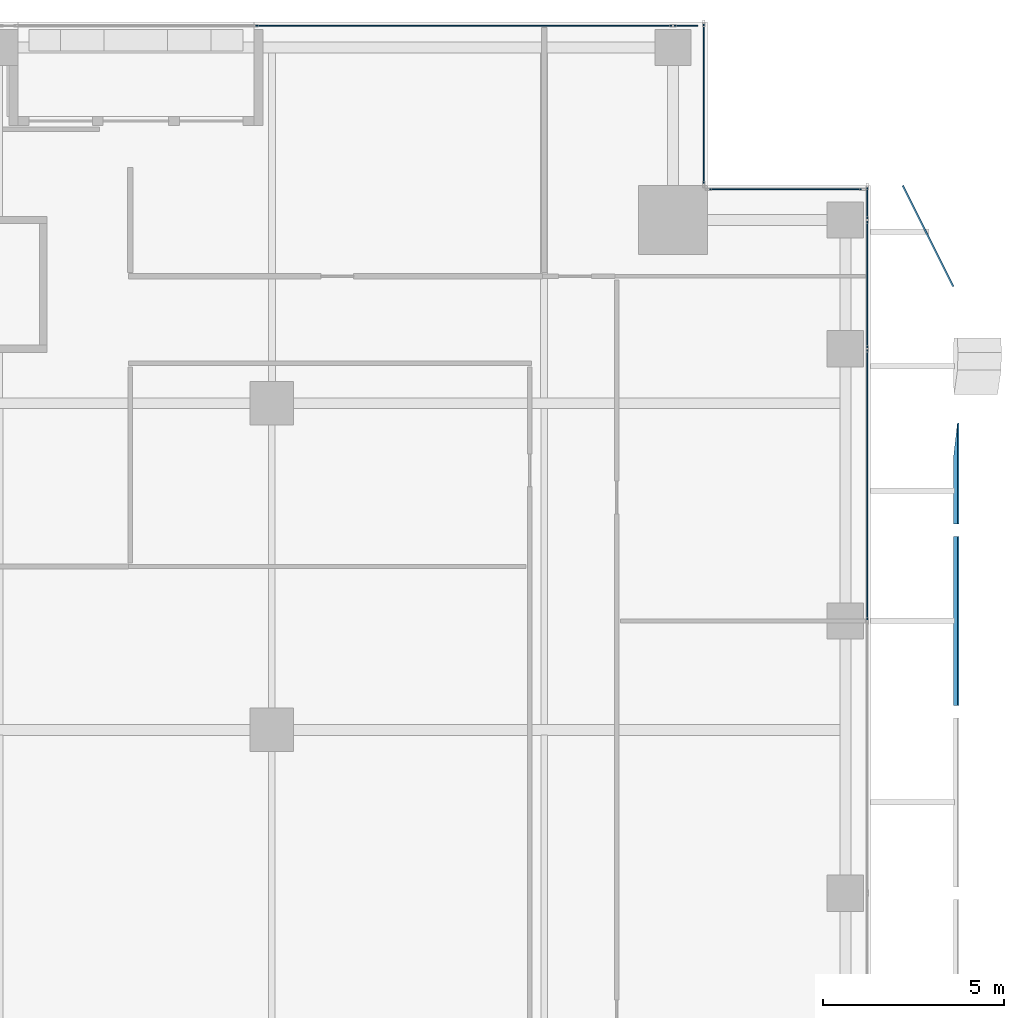
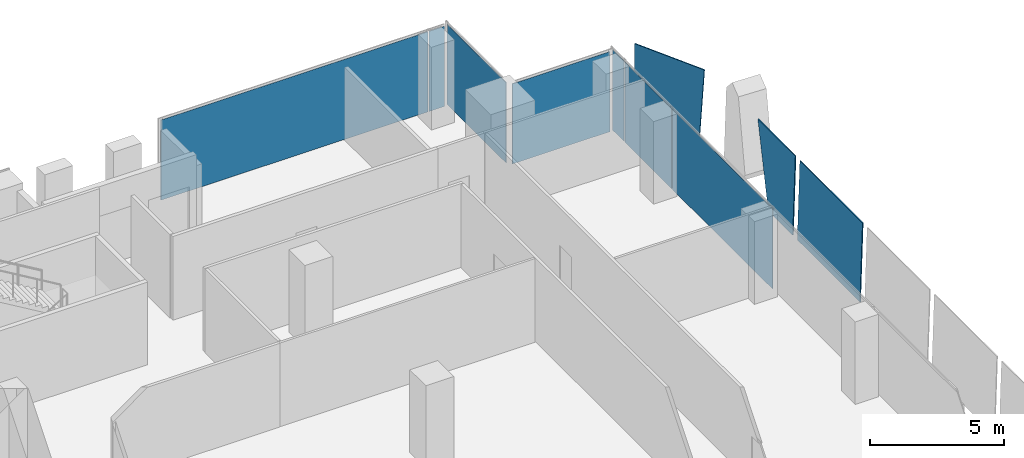
# One storey, part 31 of 38: 10 plates, 4 elements without a shape of their own.
"""IFC4 building model written with IfcOpenShell, lengths in metres."""

import ifcopenshell
import ifcopenshell.guid

model = None  # the IFC model being written
_history = None  # IfcOwnerHistory: only IFC2X3 demands one
_inside = {}  # id of a spatial element -> (the spatial element, [elements in it])
_under = {}  # id of a project, library or spatial element -> (it, [spatial elements below it])
_declared = {}  # id of a project -> (the project, [libraries it declares])
_typed = {}  # id of a type object -> (the type object, [elements of that type])
_made_of = {}  # id of a material, layer set ... -> (it, [elements and type objects made of it])


def new_model(schema):
    """Start an empty IFC model of exactly this schema.

    Asked for "IFC4X3", IfcOpenShell would pick the latest addendum, in which some entities
    have other attributes; the version numbers below select the first issue.
    IFC2X3 requires an IfcOwnerHistory on every rooted entity: one is made here for all.
    """
    global model, _history
    if schema == "IFC4X3":
        model = ifcopenshell.file(schema_version=(4, 3, 0, 0))
    else:
        model = ifcopenshell.file(schema=schema)
    _inside.clear()
    _under.clear()
    _declared.clear()
    _typed.clear()
    _made_of.clear()
    _history = None
    if model.schema == "IFC2X3":
        org = make("IfcOrganization", Name="unknown")
        user = make(
            "IfcPersonAndOrganization",
            ThePerson=make("IfcPerson", FamilyName="unknown"),
            TheOrganization=org,
        )
        app = make(
            "IfcApplication",
            ApplicationDeveloper=org,
            Version="unknown",
            ApplicationFullName="unknown",
            ApplicationIdentifier="unknown",
        )
        _history = make(
            "IfcOwnerHistory",
            OwningUser=user,
            OwningApplication=app,
            ChangeAction="ADDED",
            CreationDate=0,
        )
    return model


def make(cls, **values):
    """One entity of the class cls with the attributes given. An attribute that is None is left unset."""
    return model.create_entity(
        cls, **{name: value for name, value in values.items() if value is not None}
    )


def rooted(cls, **values):
    """An entity with a GlobalId (a new one), such as an element, a storey or a relation."""
    return make(cls, GlobalId=ifcopenshell.guid.new(), OwnerHistory=_history, **values)


def si_unit(unit_type, name, prefix=None):
    """IfcSIUnit, for example si_unit("LENGTHUNIT", "METRE", prefix="MILLI")."""
    return make("IfcSIUnit", UnitType=unit_type, Prefix=prefix, Name=name)


def assignment(units):
    """IfcUnitAssignment: the units of a project."""
    return None if units is None else make("IfcUnitAssignment", Units=units)


def point(xyz):
    """IfcCartesianPoint."""
    return None if xyz is None else make("IfcCartesianPoint", Coordinates=xyz)


def direction(xyz):
    """IfcDirection."""
    return None if xyz is None else make("IfcDirection", DirectionRatios=xyz)


def frame(location, z_axis=None, x_axis=None):
    """IfcAxis2Placement3D, a coordinate frame: its origin and axes. An axis left out is left unset."""
    return make(
        "IfcAxis2Placement3D",
        Location=point(location),
        Axis=direction(z_axis),
        RefDirection=direction(x_axis),
    )


def frame_2d(location, x_axis=None):
    """IfcAxis2Placement2D, a coordinate frame in the plane: its origin and x axis."""
    return make(
        "IfcAxis2Placement2D", Location=point(location), RefDirection=direction(x_axis)
    )


def origin():
    """The frame at (0, 0, 0) with its axes left unset."""
    return frame((0.0, 0.0, 0.0))


def origin_2d():
    """The frame at (0, 0) in the plane with its x axis left unset."""
    return frame_2d((0.0, 0.0))


def place(relative_to, where):
    """IfcLocalPlacement: puts the frame where relative to a parent placement (None: the world)."""
    return make(
        "IfcLocalPlacement", PlacementRelTo=relative_to, RelativePlacement=where
    )


def context(
    kind, dimensions, precision=None, world=None, true_north=None, identifier=None
):
    """IfcGeometricRepresentationContext, for example the 3D "Model" context."""
    return make(
        "IfcGeometricRepresentationContext",
        ContextIdentifier=identifier,
        ContextType=kind,
        CoordinateSpaceDimension=dimensions,
        Precision=precision,
        WorldCoordinateSystem=world,
        TrueNorth=true_north,
    )


def subcontext(parent, identifier, kind, view, scale=None):
    """IfcGeometricRepresentationSubContext, for example "Body" below "Model"."""
    return make(
        "IfcGeometricRepresentationSubContext",
        ContextIdentifier=identifier,
        ContextType=kind,
        ParentContext=parent,
        TargetScale=scale,
        TargetView=view,
    )


def project(units=None, contexts=None):
    """IfcProject with its units and contexts."""
    return rooted(
        "IfcProject",
        Name="project",
        RepresentationContexts=contexts,
        UnitsInContext=assignment(units),
    )


def spatial(cls, under=None, at=None, **own):
    """A site, building, storey or space (cls), placed at a placement, below another one or the project."""
    s = rooted(cls, ObjectPlacement=at, **own)
    if under is not None:
        _under.setdefault(under.id(), (under, []))[1].append(s)
    return s


def polyline(points):
    """IfcPolyline through the points."""
    return make("IfcPolyline", Points=[point(p) for p in points])


def profile(cls, at=None, kind="AREA", **sizes):
    """A parametric profile (cls). Its sizes go by their IFC names, for example OverallWidth=200.0."""
    return make(cls, ProfileType=kind, Position=at, **sizes)


def rectangle(**sizes):
    """IfcRectangleProfileDef."""
    return profile("IfcRectangleProfileDef", **sizes)


def outline(outer, holes=None, kind="AREA"):
    """IfcArbitraryClosedProfileDef: a profile drawn as a closed curve; with holes, ...WithVoids."""
    if holes is None:
        return make("IfcArbitraryClosedProfileDef", ProfileType=kind, OuterCurve=outer)
    return make(
        "IfcArbitraryProfileDefWithVoids",
        ProfileType=kind,
        OuterCurve=outer,
        InnerCurves=holes,
    )


def extrude(swept, where, along, depth):
    """IfcExtrudedAreaSolid: the profile swept, set in the frame where, extruded along a direction by depth."""
    return make(
        "IfcExtrudedAreaSolid",
        SweptArea=swept,
        Position=where,
        ExtrudedDirection=direction(along),
        Depth=depth,
    )


def shape(context_of_items, identifier, shape_type, items):
    """IfcShapeRepresentation: the items that make up one representation, for example the "Body"."""
    return make(
        "IfcShapeRepresentation",
        ContextOfItems=context_of_items,
        RepresentationIdentifier=identifier,
        RepresentationType=shape_type,
        Items=items,
    )


def source(mapping_origin, context_of_items, identifier, shape_type, items):
    """IfcRepresentationMap: a shape defined once, which mapped items show again and again."""
    return make(
        "IfcRepresentationMap",
        MappingOrigin=mapping_origin,
        MappedRepresentation=shape(context_of_items, identifier, shape_type, items),
    )


def transform(
    local_origin,
    x_axis=None,
    y_axis=None,
    z_axis=None,
    scale=None,
    scale2=None,
    scale3=None,
    uniform=True,
):
    """IfcCartesianTransformationOperator3D, or its non-uniform kind. x_axis, y_axis, z_axis: its Axis1, 2, 3."""
    if uniform:
        return make(
            "IfcCartesianTransformationOperator3D",
            Axis1=direction(x_axis),
            Axis2=direction(y_axis),
            LocalOrigin=point(local_origin),
            Scale=scale,
            Axis3=direction(z_axis),
        )
    return make(
        "IfcCartesianTransformationOperator3DnonUniform",
        Axis1=direction(x_axis),
        Axis2=direction(y_axis),
        LocalOrigin=point(local_origin),
        Scale=scale,
        Axis3=direction(z_axis),
        Scale2=scale2,
        Scale3=scale3,
    )


def mapped(mapping_source, mapping_target):
    """IfcMappedItem: shows the shape of a source again, moved by a transform."""
    return make(
        "IfcMappedItem", MappingSource=mapping_source, MappingTarget=mapping_target
    )


def material(Name=None, Category=None):
    """IfcMaterial."""
    return make("IfcMaterial", Name=Name, Category=Category)


def layer(
    of_material, thickness, ventilated=None, Name=None, Category=None, Priority=None
):
    """IfcMaterialLayer: one layer of a wall or slab, of a material (None: an air gap)."""
    return make(
        "IfcMaterialLayer",
        Material=of_material,
        LayerThickness=thickness,
        IsVentilated=ventilated,
        Name=Name,
        Category=Category,
        Priority=Priority,
    )


def layer_set(layers, Name=None):
    """IfcMaterialLayerSet."""
    return make("IfcMaterialLayerSet", MaterialLayers=layers, LayerSetName=Name)


def made_of(thing, what):
    """Note that an element or type object is made of a material, layer set ...; save() writes the relation."""
    if what is not None:
        _made_of.setdefault(what.id(), (what, []))[1].append(thing)
    return thing


def type_object(cls, material=None, **own):
    """A type object (cls), such as IfcWallType, which elements share."""
    return made_of(rooted(cls, **own), material)


def element(
    cls,
    number,
    at=None,
    inside=None,
    cuts=None,
    type_object=None,
    material=None,
    context=None,
    identifier="Body",
    shape_type=None,
    held_by="IfcProductDefinitionShape",
    body=None,
    shapes=None,
    **own,
):
    """One element of the class cls, such as IfcWall. Its Tag is "e" and its number.

    at: its placement. inside: the storey or other place that contains it. cuts: it is an
    opening in that element (IfcRelVoidsElement). A single representation is given by context,
    identifier, shape_type and body (its items); several are given by shapes. held_by: the class
    of the entity that holds the representations. save() writes the other relations.
    """
    e = rooted(cls, Tag="e%d" % number, ObjectPlacement=at, **own)
    if body is not None:
        shapes = [shape(context, identifier, shape_type, body)]
    if shapes is not None:
        e.Representation = make(held_by, Representations=shapes)
    if inside is not None:
        _inside.setdefault(inside.id(), (inside, []))[1].append(e)
    if cuts is not None:
        rooted(
            "IfcRelVoidsElement", RelatingBuildingElement=cuts, RelatedOpeningElement=e
        )
    if type_object is not None:
        _typed.setdefault(type_object.id(), (type_object, []))[1].append(e)
    return made_of(e, material)


def aggregate(whole, parts):
    """IfcRelAggregates: a whole, such as a stair, and the parts it consists of."""
    return rooted("IfcRelAggregates", RelatingObject=whole, RelatedObjects=parts)


def save(model, path):
    """Write the relations noted so far, then the file.

    IfcRelAggregates (storeys below a building ...), IfcRelContainedInSpatialStructure (elements
    in a storey), IfcRelDefinesByType, IfcRelAssociatesMaterial and IfcRelDeclares: one each for
    every whole, place, type object, material and project.
    """
    for whole, parts in _under.values():
        aggregate(whole, parts)
    for where, things in _inside.values():
        rooted(
            "IfcRelContainedInSpatialStructure",
            RelatedElements=things,
            RelatingStructure=where,
        )
    for kind, things in _typed.values():
        rooted("IfcRelDefinesByType", RelatedObjects=things, RelatingType=kind)
    for what, things in _made_of.values():
        rooted("IfcRelAssociatesMaterial", RelatedObjects=things, RelatingMaterial=what)
    for by, libraries in _declared.values():
        rooted("IfcRelDeclares", RelatingContext=by, RelatedDefinitions=libraries)
    model.write(path)


model = new_model("IFC4")

# Units and contexts
model_context = context("Model", 3, precision=1e-05, world=origin(), true_north=direction((0.0, 1.0)))
body_context = subcontext(model_context, "Body", "Model", "MODEL_VIEW")
ifc_project = project(units=[si_unit("LENGTHUNIT", "METRE"), si_unit("AREAUNIT", "SQUARE_METRE"), si_unit("VOLUMEUNIT", "CUBIC_METRE"), si_unit("PLANEANGLEUNIT", "RADIAN"), si_unit("MASSUNIT", "GRAM", prefix="KILO")], contexts=[model_context])

# Site, building, storey
site_placement = place(None, origin())
site = spatial("IfcSite", under=ifc_project, at=site_placement, CompositionType="ELEMENT")
building_placement = place(site_placement, origin())
building = spatial("IfcBuilding", under=site, at=building_placement, Name="Khomas Fold Tower", CompositionType="ELEMENT")
storey_placement = place(building_placement, frame((0.0, 0.0, 208.699951171875)))
storey = spatial("IfcBuildingStorey", under=building, at=storey_placement, Name="L46", CompositionType="ELEMENT", Elevation=208.699951171875)

# Plates
ifc_material_1 = material(Name="Clear laminated glass", Category="glass")
ifc_layer_1 = layer(ifc_material_1, 0.0400390625)
ifc_layer_set_1 = layer_set([ifc_layer_1], Name="Clear laminated glass")
plate_type_1 = type_object("IfcPlateType", Name="SK-Clear laminated glass leaf", PredefinedType="SHEET", material=ifc_layer_set_1)
plate_1_placement = place(storey_placement, frame((53.27734375, 32.169921875, 0.0), z_axis=(-0.999510801098, 0.0, 0.031275525377), x_axis=(0.031275525377, 0.0, 0.999510801098)))
element("IfcPlate", 1, at=plate_1_placement, inside=storey, type_object=plate_type_1, Name="OUTER SKIN glass L46 EG104-6", PredefinedType="SHEET", context=body_context, shape_type="SweptSolid", body=[
    extrude(outline(polyline([(0.0, 0.0), (3.551786358110002, 0.0), (3.551786358110002, 4.66015625), (0.0, 4.66015625), (0.0, 0.0)])), origin(), (0.0, 0.0, -1.0), 0.0400390625),
])
plate_2_placement = place(storey_placement, frame((53.27734375, 38.98193359375, 0.0), z_axis=(-0.999510801098, 0.0, 0.031275525377), x_axis=(0.0, -1.0, 0.0)))
element("IfcPlate", 2, at=plate_2_placement, inside=storey, type_object=plate_type_1, Name="OUTER SKIN glass L46 EG105-7", PredefinedType="SHEET", context=body_context, shape_type="SweptSolid", body=[
    extrude(outline(polyline([(0.0, 0.0), (1.81201171875, 0.0), (1.81201171875, 3.551786358110002), (-0.975830078125, 3.551786358110002), (0.0, 0.0)])), origin(), (0.0, 0.0, -1.0), 0.0400390625),
])
plate_3_placement = place(storey_placement, frame((53.17724609375, 43.945556640625, 0.0), z_axis=(0.894410806248, 0.447246363502, 1.281684e-06), x_axis=(0.031215663054, -0.062428467164, 0.997561160465)))
element("IfcPlate", 3, at=plate_3_placement, inside=storey, type_object=plate_type_1, Name="OUTER SKIN glass L46 EG106-8", PredefinedType="SHEET", context=body_context, shape_type="SweptSolid", body=[
    extrude(outline(polyline([(0.0, 0.0), (3.5587279946596238, -5.551115123125783e-17), (3.342047713203623, -3.0968292973073632), (-0.1993431154870628, -2.8490437438211274), (0.0, 0.0)])), origin(), (0.0, 0.0, -1.0), 0.0400390625),
])

# Curtain wall, plate
ifc_material_2 = material(Name="Aluminium framed double glazing", Category="aluminium")
curtain_wall_type = type_object("IfcCurtainWallType", Name="SK-Unitised clear-glass wall, office floors CW2", PredefinedType="NOTDEFINED", material=ifc_material_2)
curtain_wall_1_placement = place(storey_placement, origin())
curtain_wall_1 = element("IfcCurtainWall", 4, at=curtain_wall_1_placement, inside=storey, type_object=curtain_wall_type, Name="CW2 corner return L46 05", PredefinedType="NOTDEFINED")
ifc_material_3 = material(Name="Clear double glazed unit")
ifc_layer_2 = layer(ifc_material_3, 0.030029296875)
ifc_layer_set_2 = layer_set([ifc_layer_2], Name="Clear double glazed unit")
plate_type_2 = type_object("IfcPlateType", Name="SK-Unitised clear-glass wall, office floors glass panel CW2-P", PredefinedType="CURTAIN_PANEL", material=ifc_layer_set_2)
shared_shape_1 = source(origin(), body_context, "Body", "SweptSolid", [
    extrude(rectangle(XDim=4.3798828125, YDim=0.030029296875, at=origin_2d()), origin(), (0.0, 0.0, 1.0), 3.639892578125),
])
plate_4_placement = place(storey_placement, frame((46.39990234375, 48.75, 0.0), z_axis=(0.0, 0.0, 1.0), x_axis=(0.0, 1.0, 0.0)))
plate_4 = element("IfcPlate", 5, at=plate_4_placement, type_object=plate_type_2, Name="CW2 glass panel 1", PredefinedType="CURTAIN_PANEL", context=body_context, shape_type="MappedRepresentation", body=[
    mapped(shared_shape_1, transform((0.0, 0.0, 0.0))),
])
aggregate(curtain_wall_1, [plate_4])

curtain_wall_2_placement = place(storey_placement, origin())
curtain_wall_2 = element("IfcCurtainWall", 6, at=curtain_wall_2_placement, inside=storey, type_object=curtain_wall_type, Name="CW2 run L46 06-0", PredefinedType="NOTDEFINED")
shared_shape_2 = source(origin(), body_context, "Body", "SweptSolid", [
    extrude(rectangle(XDim=0.659912109375, YDim=0.030029296875, at=origin_2d()), origin(), (0.0, 0.0, 1.0), 3.639892578125),
])
plate_5_placement = place(storey_placement, frame((45.909912109375, 50.89990234375, 0.0), z_axis=(0.0, 0.0, 1.0), x_axis=(-1.0, 0.0, 0.0)))
plate_5 = element("IfcPlate", 7, at=plate_5_placement, type_object=plate_type_2, Name="CW2 glass panel 1", PredefinedType="CURTAIN_PANEL", context=body_context, shape_type="MappedRepresentation", body=[
    mapped(shared_shape_2, transform((0.0, 0.0, 0.0))),
])

# Curtain wall, plates
curtain_wall_3_placement = place(storey_placement, origin())
curtain_wall_3 = element("IfcCurtainWall", 8, at=curtain_wall_3_placement, inside=storey, type_object=curtain_wall_type, Name="CW2 run L46 03-0", PredefinedType="NOTDEFINED")
shared_shape_3 = source(origin(), body_context, "Body", "SweptSolid", [
    extrude(rectangle(XDim=3.489990234375, YDim=0.030029296875, at=origin_2d()), origin(), (0.0, 0.0, 1.0), 3.639892578125),
])
plate_6_placement = place(storey_placement, frame((50.89990234375, 43.77490234375, 0.0), z_axis=(0.0, 0.0, 1.0), x_axis=(0.0, 1.0, 0.0)))
plate_6 = element("IfcPlate", 9, at=plate_6_placement, type_object=plate_type_2, Name="CW2 glass panel 7", PredefinedType="CURTAIN_PANEL", context=body_context, shape_type="MappedRepresentation", body=[
    mapped(shared_shape_3, transform((0.0, 0.0, 0.0))),
])
shared_shape_4 = source(origin(), body_context, "Body", "SweptSolid", [
    extrude(rectangle(XDim=7.43994140625, YDim=0.030029296875, at=origin_2d()), origin(), (0.0, 0.0, 1.0), 3.639892578125),
])
plate_7_placement = place(storey_placement, frame((50.89990234375, 38.25, 0.0), z_axis=(0.0, 0.0, 1.0), x_axis=(0.0, 1.0, 0.0)))
plate_7 = element("IfcPlate", 10, at=plate_7_placement, type_object=plate_type_2, Name="CW2 glass panel 6", PredefinedType="CURTAIN_PANEL", context=body_context, shape_type="MappedRepresentation", body=[
    mapped(shared_shape_4, transform((0.0, 0.0, 0.0))),
])

# Curtain wall, plate
curtain_wall_4_placement = place(storey_placement, origin())
curtain_wall_4 = element("IfcCurtainWall", 11, at=curtain_wall_4_placement, inside=storey, type_object=curtain_wall_type, Name="CW2 corner return L46 04", PredefinedType="NOTDEFINED")
shared_shape_5 = source(origin(), body_context, "Body", "SweptSolid", [
    extrude(rectangle(XDim=4.179931640625, YDim=0.030029296875, at=origin_2d()), origin(), (0.0, 0.0, 1.0), 3.639892578125),
])
plate_8_placement = place(storey_placement, frame((48.64990234375, 46.39990234375, 0.0), z_axis=(0.0, 0.0, 1.0), x_axis=(-1.0, 0.0, 0.0)))
plate_8 = element("IfcPlate", 12, at=plate_8_placement, type_object=plate_type_2, Name="CW2 glass panel 1", PredefinedType="CURTAIN_PANEL", context=body_context, shape_type="MappedRepresentation", body=[
    mapped(shared_shape_5, transform((0.0, 0.0, 0.0))),
])
aggregate(curtain_wall_4, [plate_8])

# Plate
shared_shape_6 = source(origin(), body_context, "Body", "SweptSolid", [
    extrude(rectangle(XDim=0.860107421875, YDim=0.030029296875, at=origin_2d()), origin(), (0.0, 0.0, 1.0), 3.639892578125),
])
plate_9_placement = place(storey_placement, frame((50.89990234375, 46.010009765625, 0.0), z_axis=(0.0, 0.0, 1.0), x_axis=(0.0, 1.0, 0.0)))
plate_9 = element("IfcPlate", 13, at=plate_9_placement, type_object=plate_type_2, Name="CW2 glass panel 8", PredefinedType="CURTAIN_PANEL", context=body_context, shape_type="MappedRepresentation", body=[
    mapped(shared_shape_6, transform((0.0, 0.0, 0.0))),
])

aggregate(curtain_wall_3, [plate_7, plate_6, plate_9])

shared_shape_7 = source(origin(), body_context, "Body", "SweptSolid", [
    extrude(rectangle(XDim=11.4599609375, YDim=0.030029296875, at=origin_2d()), origin(), (0.0, 0.0, 1.0), 3.639892578125),
])
plate_10_placement = place(storey_placement, frame((39.7900390625, 50.89990234375, 0.0), z_axis=(0.0, 0.0, 1.0), x_axis=(-1.0, 0.0, 0.0)))
plate_10 = element("IfcPlate", 14, at=plate_10_placement, type_object=plate_type_2, Name="CW2 glass panel 2", PredefinedType="CURTAIN_PANEL", context=body_context, shape_type="MappedRepresentation", body=[
    mapped(shared_shape_7, transform((0.0, 0.0, 0.0))),
])

aggregate(curtain_wall_2, [plate_5, plate_10])

save(model, "model.ifc")
